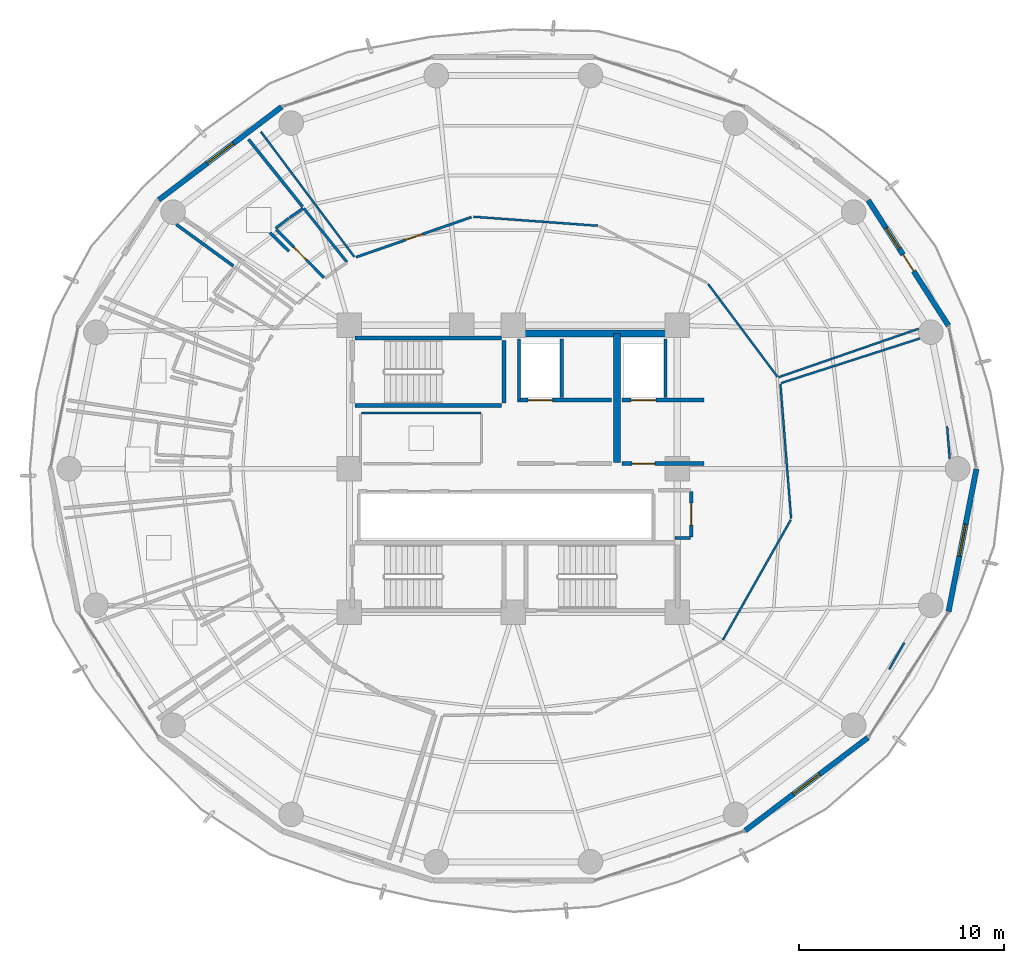
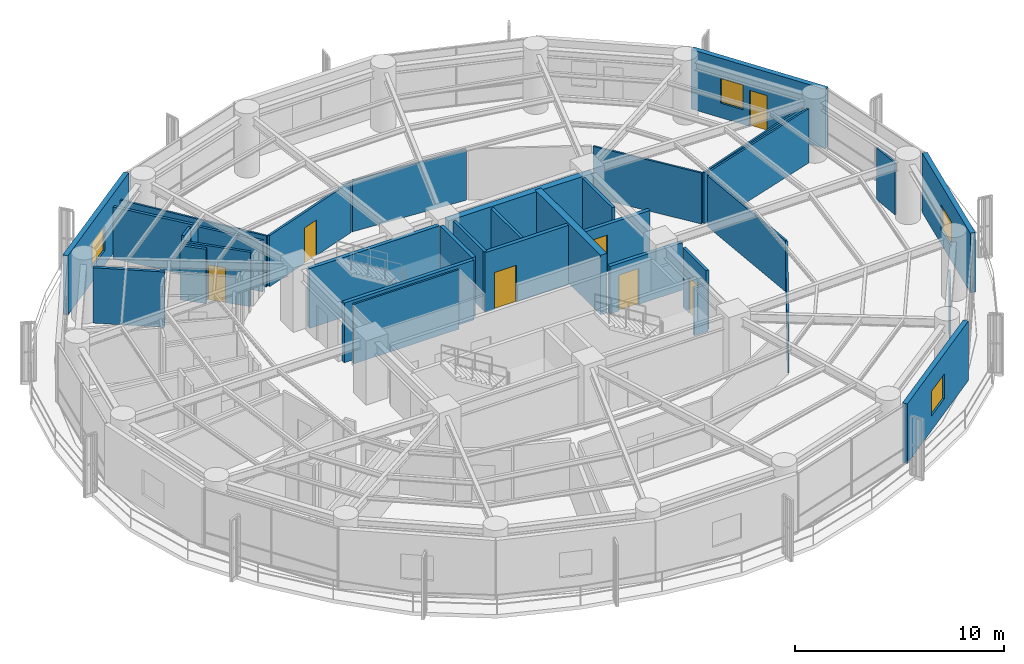
# One storey, part 23 of 27: 35 walls, 7 doors, 4 windows, 11 openings.
"""IFC4 building model written with IfcOpenShell, lengths in metres."""

from ifc_helpers import new_model, si_unit, direction, frame, frame_2d, origin, place, context, subcontext, project, spatial, rectangle, extrude, material, layer, layer_set, type_object, element, fill, save


model = new_model("IFC4")

# Units and contexts
model_context = context("Model", 3, precision=1e-05, world=origin(), true_north=direction((0.0, 1.0)))
body_context = subcontext(model_context, "Body", "Model", "MODEL_VIEW")
ifc_project = project(units=[si_unit("LENGTHUNIT", "METRE"), si_unit("AREAUNIT", "SQUARE_METRE"), si_unit("VOLUMEUNIT", "CUBIC_METRE"), si_unit("PLANEANGLEUNIT", "RADIAN"), si_unit("MASSUNIT", "GRAM", prefix="KILO")], contexts=[model_context])

# Site, building, storey
site_placement = place(None, origin())
site = spatial("IfcSite", under=ifc_project, at=site_placement, CompositionType="ELEMENT")
building_placement = place(site_placement, origin())
building = spatial("IfcBuilding", under=site, at=building_placement, Name="Kelanora Arch Commons", CompositionType="ELEMENT")
storey_placement = place(building_placement, frame((0.0, 0.0, 169.35009765625)))
storey = spatial("IfcBuildingStorey", under=building, at=storey_placement, Name="L43", CompositionType="ELEMENT", Elevation=169.35009765625)

# Walls
ifc_material_1 = material(Name="Autoclaved aerated concrete blockwork with fire plaster", Category="masonry")
ifc_layer_1 = layer(ifc_material_1, 0.14990234375)
ifc_layer_set_1 = layer_set([ifc_layer_1], Name="Autoclaved aerated concrete blockwork with fire plaster")
wall_type_1 = type_object("IfcWallType", Name="W-COMP-150", PredefinedType="PARTITIONING", material=ifc_layer_set_1)
wall_1_placement = place(storey_placement, frame((74.280029296875, 61.35009765625, 0.0), z_axis=(0.0, 0.0, 1.0), x_axis=(0.0, 1.0, 0.0)))
element("IfcWall", 1, at=wall_1_placement, inside=storey, type_object=wall_type_1, Name="Firefighting Lift 1 West Shaft Wall L43", PredefinedType="PARTITIONING", context=body_context, shape_type="SweptSolid", body=[
    extrude(rectangle(XDim=2.969970703125, YDim=0.14990234375, at=frame_2d((1.48486328125, 0.0))), origin(), (0.0, 0.0, 1.0), 3.47998046875),
])
for number, where, z_axis, x_axis, name in (
    (2, (76.360107421875, 61.47998046875, 0.0), (0.0, 0.0, 1.0), (0.0, 1.0, 0.0), "Firefighting Lift 1 East Shaft Wall L43"),
    (3, (81.419921875, 61.47998046875, 0.0), (0.0, 0.0, 1.0), (0.0, 1.0, 0.0), "Firefighting Lift 2 East Shaft Wall L43"),
):
    element("IfcWall", number, at=place(storey_placement, frame(where, z_axis=z_axis, x_axis=x_axis)), inside=storey, type_object=wall_type_1, Name=name, PredefinedType="PARTITIONING", context=body_context, shape_type="SweptSolid", body=[
        extrude(rectangle(XDim=2.840087890625, YDim=0.14990234375, at=frame_2d((1.419921875, 0.0))), origin(), (0.0, 0.0, 1.0), 3.47998046875),
    ])

# Wall, opening, door
wall_2_placement = place(storey_placement, frame((82.679931640625, 54.679931640625, 0.0), z_axis=(0.0, 0.0, 1.0), x_axis=(0.0, 1.0, 0.0)))
wall_2 = element("IfcWall", 4, at=wall_2_placement, inside=storey, type_object=wall_type_1, Name="Core Housekeeping Store L43 Entry Partition", PredefinedType="PARTITIONING", context=body_context, shape_type="SweptSolid", body=[
    extrude(rectangle(XDim=2.2099609375, YDim=0.14990234375, at=frame_2d((1.10498046875, 0.0))), origin(), (0.0, 0.0, 1.0), 3.47998046875),
])
opening_1_placement = place(wall_2_placement, frame((0.56494140625, 0.0, 0.0)))
opening_1 = element("IfcOpeningElement", 5, at=opening_1_placement, cuts=wall_2, Name="Opening D-PLT1", PredefinedType="OPENING", context=body_context, shape_type="SweptSolid", body=[
    extrude(rectangle(XDim=1.080078125, YDim=2.10009765625, at=frame_2d((0.5400390625, 1.050048828125))), frame((0.0, 0.0849609375, 0.0), z_axis=(0.0, -1.0, 0.0), x_axis=(1.0, 0.0, 0.0)), (0.0, 0.0, 1.0), 0.169921875),
])
ifc_material_2 = material(Name="Galvanised steel plant and riser fire door", Category="steel")
door_type_1 = type_object("IfcDoorType", Name="D-PLT-110", OperationType="NOTDEFINED", PredefinedType="DOOR", material=ifc_material_2)
door_1_placement = place(opening_1_placement, origin())
door_1 = element("IfcDoor", 6, at=door_1_placement, inside=storey, type_object=door_type_1, Name="Core Housekeeping Store L43 Door", OperationType="SINGLE_SWING_LEFT", OverallHeight=2.10009765625, OverallWidth=1.080078125, PredefinedType="DOOR", context=body_context, shape_type="SweptSolid", body=[
    extrude(rectangle(XDim=1.080078125, YDim=2.10009765625, at=frame_2d((0.5400390625, 1.050048828125))), frame((0.0, 0.02490234375, 0.0), z_axis=(0.0, -1.0, 0.0), x_axis=(1.0, 0.0, 0.0)), (0.0, 0.0, 1.0), 0.050048828125),
])
fill(opening_1, door_1)

# Walls
wall_3_placement = place(storey_placement, frame((81.89990234375, 54.6201171875, 0.0), z_axis=(0.0, 0.0, 1.0), x_axis=(1.0, 0.0, 0.0)))
element("IfcWall", 7, at=wall_3_placement, inside=storey, type_object=wall_type_1, Name="Core Housekeeping Store L43 Enclosure Partition 1", PredefinedType="PARTITIONING", context=body_context, shape_type="SweptSolid", body=[
    extrude(rectangle(XDim=0.739990234375, YDim=0.14990234375, at=frame_2d((0.3701171875, 0.0))), origin(), (0.0, 0.0, 1.0), 2.77490234375),
])
wall_4_placement = place(storey_placement, frame((61.077880859375, 74.07275390625, 0.0), z_axis=(0.0, 0.0, 1.0), x_axis=(0.62540850869, -0.780297505608, 0.0)))
element("IfcWall", 8, at=wall_4_placement, inside=storey, type_object=wall_type_1, Name="Cluster Bedroom L43-01 Enclosure Partition 5", PredefinedType="PARTITIONING", context=body_context, shape_type="SweptSolid", body=[
    extrude(rectangle(XDim=4.21337890625, YDim=0.14990234375, at=frame_2d((2.106689453125, 0.0))), origin(), (0.0, 0.0, 1.0), 3.02490234375),
])
wall_5_placement = place(storey_placement, frame((62.126708984375, 69.51513671875, 0.0), z_axis=(0.0, 0.0, 1.0), x_axis=(0.716511036514, -0.697575755422, 0.0)))
element("IfcWall", 9, at=wall_5_placement, inside=storey, type_object=wall_type_1, Name="Cluster Bedroom L43-01 Enclosure Partition 7", PredefinedType="PARTITIONING", context=body_context, shape_type="SweptSolid", body=[
    extrude(rectangle(XDim=1.289306640625, YDim=0.14990234375, at=frame_2d((0.64453125, 0.0))), origin(), (0.0, 0.0, 1.0), 3.1748046875),
])
wall_6_placement = place(storey_placement, frame((57.55419921875, 69.917724609375, 0.0), z_axis=(0.0, 0.0, 1.0), x_axis=(0.808868126213, -0.587990097192, 0.0)))
element("IfcWall", 10, at=wall_6_placement, inside=storey, type_object=wall_type_1, Name="Cluster Bedroom L43-02 Enclosure Partition 5", PredefinedType="PARTITIONING", context=body_context, shape_type="SweptSolid", body=[
    extrude(rectangle(XDim=3.4375, YDim=0.14990234375, at=frame_2d((1.71875, 0.0))), origin(), (0.0, 0.0, 1.0), 3.23486328125),
])
ifc_material_3 = material(Name="Concrete C50/60", Category="concrete")
ifc_layer_2 = layer(ifc_material_3, 0.35009765625)
ifc_layer_set_2 = layer_set([ifc_layer_2], Name="Concrete C50/60")
wall_type_2 = type_object("IfcWallType", Name="W-CORE-350", PredefinedType="SHEAR", material=ifc_layer_set_2)
wall_7_placement = place(storey_placement, frame((74.0, 64.60009765625, 0.0), z_axis=(0.0, 0.0, 1.0), x_axis=(1.0, 0.0, 0.0)))
element("IfcWall", 11, at=wall_7_placement, inside=storey, type_object=wall_type_2, Name="Core Shear Spine L43-CN-E", PredefinedType="SHEAR", context=body_context, shape_type="SweptSolid", body=[
    extrude(rectangle(XDim=8.0, YDim=0.35009765625, at=frame_2d((4.0, 0.0))), origin(), (0.0, 0.0, 1.0), 3.489990234375),
])
wall_8_placement = place(storey_placement, frame((79.050048828125, 58.300048828125, 0.0), z_axis=(0.0, 0.0, 1.0), x_axis=(0.0, 1.0, 0.0)))
element("IfcWall", 12, at=wall_8_placement, inside=storey, type_object=wall_type_2, Name="Core Shear Spine L43-CE-N", PredefinedType="SHEAR", context=body_context, shape_type="SweptSolid", body=[
    extrude(rectangle(XDim=6.300048828125, YDim=0.35009765625, at=frame_2d((3.14990234375, 0.0))), origin(), (0.0, 0.0, 1.0), 3.489990234375),
])

# Wall, openings, door, window
ifc_material_4 = material(Name="Precast concrete C40/50 with terracotta rainscreen", Category="masonry")
ifc_layer_3 = layer(ifc_material_4, 0.260009765625)
ifc_layer_set_3 = layer_set([ifc_layer_3], Name="Precast concrete C40/50 with terracotta rainscreen")
wall_type_3 = type_object("IfcWallType", Name="W-EXT-TC", PredefinedType="SOLIDWALL", material=ifc_layer_set_3)
wall_9_placement = place(storey_placement, frame((95.22900390625, 64.98974609375, 0.0), z_axis=(0.0, 0.0, 1.0), x_axis=(-0.538801521808, 0.842432739213, 0.0)))
wall_9 = element("IfcWall", 13, at=wall_9_placement, inside=storey, type_object=wall_type_3, Name="Terracotta Exterior Wall L43-B01", PredefinedType="SOLIDWALL", context=body_context, shape_type="SweptSolid", body=[
    extrude(rectangle(XDim=7.25341796875, YDim=0.260009765625, at=frame_2d((3.626708984375, 0.0))), origin(), (0.0, 0.0, 1.0), 3.474853515625),
])
opening_2_placement = place(wall_9_placement, frame((3.152099609375, 0.0, 0.0)))
opening_2 = element("IfcOpeningElement", 14, at=opening_2_placement, cuts=wall_9, Name="Opening DB-01", PredefinedType="OPENING", context=body_context, shape_type="SweptSolid", body=[
    extrude(rectangle(XDim=0.949951171875, YDim=2.10009765625, at=frame_2d((0.47509765625, 1.050048828125))), frame((0.0, 0.14013671875, 0.0), z_axis=(0.0, -1.0, 0.0), x_axis=(1.0, 0.0, 0.0)), (0.0, 0.0, 1.0), 0.280029296875),
])
opening_3_placement = place(wall_9_placement, frame((4.451904296875, 0.0, 0.85009765625)))
opening_3 = element("IfcOpeningElement", 15, at=opening_3_placement, cuts=wall_9, Name="Opening WN-02", PredefinedType="OPENING", context=body_context, shape_type="SweptSolid", body=[
    extrude(rectangle(XDim=1.199951171875, YDim=1.449951171875, at=frame_2d((0.60009765625, 0.72509765625))), frame((0.0, 0.14013671875, 0.0), z_axis=(0.0, -1.0, 0.0), x_axis=(1.0, 0.0, 0.0)), (0.0, 0.0, 1.0), 0.280029296875),
])
ifc_material_5 = material(Name="Terracotta-aluminium thermally broken glazed balcony door", Category="masonry")
door_type_2 = type_object("IfcDoorType", Name="D-BAL-10", OperationType="NOTDEFINED", PredefinedType="DOOR", material=ifc_material_5)
door_2_placement = place(opening_2_placement, frame((0.949951171875, 0.0, 0.0), z_axis=(0.0, 0.0, 1.0), x_axis=(-1.0, 0.0, 0.0)))
door_2 = element("IfcDoor", 16, at=door_2_placement, inside=storey, type_object=door_type_2, Name="Wave Balcony Door L43-B01", OperationType="SINGLE_SWING_LEFT", OverallHeight=2.10009765625, OverallWidth=0.949951171875, PredefinedType="DOOR", context=body_context, shape_type="SweptSolid", body=[
    extrude(rectangle(XDim=0.949951171875, YDim=2.10009765625, at=frame_2d((0.47509765625, 1.050048828125))), frame((0.0, 0.02490234375, 0.0), z_axis=(0.0, -1.0, 0.0), x_axis=(1.0, 0.0, 0.0)), (0.0, 0.0, 1.0), 0.050048828125),
])
fill(opening_2, door_2)
ifc_material_6 = material(Name="Terracotta-anodised aluminium frame with operable awning sash", Category="masonry")
window_type_1 = type_object("IfcWindowType", Name="WIN-CL-12", PartitioningType="SINGLE_PANEL", PredefinedType="WINDOW", material=ifc_material_6)
window_1_placement = place(opening_3_placement, origin())
window_1 = element("IfcWindow", 17, at=window_1_placement, inside=storey, type_object=window_type_1, Name="Co-Living Operable Window L43-B01", OverallHeight=1.449951171875, OverallWidth=1.199951171875, PartitioningType="SINGLE_PANEL", PredefinedType="WINDOW", context=body_context, shape_type="SweptSolid", body=[
    extrude(rectangle(XDim=1.199951171875, YDim=1.449951171875, at=frame_2d((0.60009765625, 0.72509765625))), frame((0.0, 0.030029296875, 0.0), z_axis=(0.0, -1.0, 0.0), x_axis=(1.0, 0.0, 0.0)), (0.0, 0.0, 1.0), 0.06005859375),
])
fill(opening_3, window_1)

# Wall, opening, window
wall_10_placement = place(storey_placement, frame((62.68798828125, 75.65771484375, 0.0), z_axis=(0.0, 0.0, 1.0), x_axis=(-0.797163719609, -0.603763202042, 0.0)))
wall_10 = element("IfcWall", 18, at=wall_10_placement, inside=storey, type_object=wall_type_3, Name="Terracotta Exterior Wall L43-B06", PredefinedType="SOLIDWALL", context=body_context, shape_type="SweptSolid", body=[
    extrude(rectangle(XDim=7.51220703125, YDim=0.260009765625, at=frame_2d((3.756103515625, 0.0))), origin(), (0.0, 0.0, 1.0), 3.474853515625),
])
opening_4_placement = place(wall_10_placement, frame((2.9560546875, 0.0, 0.85009765625)))
opening_4 = element("IfcOpeningElement", 19, at=opening_4_placement, cuts=wall_10, Name="Opening WN-01", PredefinedType="OPENING", context=body_context, shape_type="SweptSolid", body=[
    extrude(rectangle(XDim=1.60009765625, YDim=1.449951171875, at=frame_2d((0.800048828125, 0.72509765625))), frame((0.0, 0.14013671875, 0.0), z_axis=(0.0, -1.0, 0.0), x_axis=(1.0, 0.0, 0.0)), (0.0, 0.0, 1.0), 0.280029296875),
])
ifc_material_7 = material(Name="Terracotta-anodised aluminium frame with operable low-E glazing", Category="masonry")
window_type_2 = type_object("IfcWindowType", Name="WIN-CL-18", PartitioningType="DOUBLE_PANEL_VERTICAL", PredefinedType="WINDOW", material=ifc_material_7)
window_2_placement = place(opening_4_placement, origin())
window_2 = element("IfcWindow", 20, at=window_2_placement, inside=storey, type_object=window_type_2, Name="Co-Living Operable Window L43-B06", OverallHeight=1.449951171875, OverallWidth=1.60009765625, PartitioningType="SINGLE_PANEL", PredefinedType="WINDOW", context=body_context, shape_type="SweptSolid", body=[
    extrude(rectangle(XDim=1.60009765625, YDim=1.449951171875, at=frame_2d((0.800048828125, 0.72509765625))), frame((0.0, 0.030029296875, 0.0), z_axis=(0.0, -1.0, 0.0), x_axis=(1.0, 0.0, 0.0)), (0.0, 0.0, 1.0), 0.06005859375),
])
fill(opening_4, window_2)

wall_11_placement = place(storey_placement, frame((85.31201171875, 40.34228515625, 0.0), z_axis=(0.0, 0.0, 1.0), x_axis=(0.797163719609, 0.603763202042, 0.0)))
wall_11 = element("IfcWall", 21, at=wall_11_placement, inside=storey, type_object=wall_type_3, Name="Terracotta Exterior Wall L43-B15", PredefinedType="SOLIDWALL", context=body_context, shape_type="SweptSolid", body=[
    extrude(rectangle(XDim=7.51220703125, YDim=0.260009765625, at=frame_2d((3.756103515625, 0.0))), origin(), (0.0, 0.0, 1.0), 3.474853515625),
])
opening_5_placement = place(wall_11_placement, frame((2.9560546875, 0.0, 0.85009765625)))
opening_5 = element("IfcOpeningElement", 22, at=opening_5_placement, cuts=wall_11, Name="Opening WN-01", PredefinedType="OPENING", context=body_context, shape_type="SweptSolid", body=[
    extrude(rectangle(XDim=1.60009765625, YDim=1.449951171875, at=frame_2d((0.800048828125, 0.72509765625))), frame((0.0, 0.14013671875, 0.0), z_axis=(0.0, -1.0, 0.0), x_axis=(1.0, 0.0, 0.0)), (0.0, 0.0, 1.0), 0.280029296875),
])
window_3_placement = place(opening_5_placement, origin())
window_3 = element("IfcWindow", 23, at=window_3_placement, inside=storey, type_object=window_type_2, Name="Co-Living Operable Window L43-B15", OverallHeight=1.449951171875, OverallWidth=1.60009765625, PartitioningType="SINGLE_PANEL", PredefinedType="WINDOW", context=body_context, shape_type="SweptSolid", body=[
    extrude(rectangle(XDim=1.60009765625, YDim=1.449951171875, at=frame_2d((0.800048828125, 0.72509765625))), frame((0.0, 0.030029296875, 0.0), z_axis=(0.0, -1.0, 0.0), x_axis=(1.0, 0.0, 0.0)), (0.0, 0.0, 1.0), 0.06005859375),
])
fill(opening_5, window_3)

wall_12_placement = place(storey_placement, frame((95.239990234375, 51.03759765625, 0.0), z_axis=(0.0, 0.0, 1.0), x_axis=(0.191716984769, 0.981450252306, 0.0)))
wall_12 = element("IfcWall", 24, at=wall_12_placement, inside=storey, type_object=wall_type_3, Name="Terracotta Exterior Wall L43-B17", PredefinedType="SOLIDWALL", context=body_context, shape_type="SweptSolid", body=[
    extrude(rectangle(XDim=7.0791015625, YDim=0.260009765625, at=frame_2d((3.53955078125, 0.0))), origin(), (0.0, 0.0, 1.0), 3.474853515625),
])
opening_6_placement = place(wall_12_placement, frame((2.739990234375, 0.0, 0.85009765625)))
opening_6 = element("IfcOpeningElement", 25, at=opening_6_placement, cuts=wall_12, Name="Opening WN-01", PredefinedType="OPENING", context=body_context, shape_type="SweptSolid", body=[
    extrude(rectangle(XDim=1.60009765625, YDim=1.449951171875, at=frame_2d((0.800048828125, 0.72509765625))), frame((0.0, 0.14013671875, 0.0), z_axis=(0.0, -1.0, 0.0), x_axis=(1.0, 0.0, 0.0)), (0.0, 0.0, 1.0), 0.280029296875),
])
window_4_placement = place(opening_6_placement, origin())
window_4 = element("IfcWindow", 26, at=window_4_placement, inside=storey, type_object=window_type_2, Name="Co-Living Operable Window L43-B17", OverallHeight=1.449951171875, OverallWidth=1.60009765625, PartitioningType="SINGLE_PANEL", PredefinedType="WINDOW", context=body_context, shape_type="SweptSolid", body=[
    extrude(rectangle(XDim=1.60009765625, YDim=1.449951171875, at=frame_2d((0.800048828125, 0.72509765625))), frame((0.0, 0.030029296875, 0.0), z_axis=(0.0, -1.0, 0.0), x_axis=(1.0, 0.0, 0.0)), (0.0, 0.0, 1.0), 0.06005859375),
])
fill(opening_6, window_4)

# Wall, opening, door
ifc_material_8 = material(Name="Concrete C40/50", Category="concrete")
ifc_layer_4 = layer(ifc_material_8, 0.199951171875)
ifc_layer_set_4 = layer_set([ifc_layer_4], Name="Concrete C40/50")
wall_type_4 = type_object("IfcWallType", Name="W-FFL-200", PredefinedType="SOLIDWALL", material=ifc_layer_set_4)
wall_13_placement = place(storey_placement, frame((74.199951171875, 61.35009765625, 0.0), z_axis=(0.0, 0.0, 1.0), x_axis=(1.0, 0.0, 0.0)))
wall_13 = element("IfcWall", 27, at=wall_13_placement, inside=storey, type_object=wall_type_4, Name="Firefighting Lift 1 Shaft Front L43", PredefinedType="SOLIDWALL", context=body_context, shape_type="SweptSolid", body=[
    extrude(rectangle(XDim=4.60009765625, YDim=0.199951171875, at=frame_2d((2.300048828125, 0.0))), origin(), (0.0, 0.0, 1.0), 3.47998046875),
])
opening_7_placement = place(wall_13_placement, frame((0.52001953125, 0.0, 0.0)))
opening_7 = element("IfcOpeningElement", 28, at=opening_7_placement, cuts=wall_13, Name="Opening LD-FF", PredefinedType="OPENING", context=body_context, shape_type="SweptSolid", body=[
    extrude(rectangle(XDim=1.199951171875, YDim=2.14990234375, at=frame_2d((0.60009765625, 1.074951171875))), frame((0.0, 0.10986328125, 0.0), z_axis=(0.0, -1.0, 0.0), x_axis=(1.0, 0.0, 0.0)), (0.0, 0.0, 1.0), 0.219970703125),
])
ifc_material_9 = material(Name="Fire-rated firefighters lift sliding landing door")
door_type_3 = type_object("IfcDoorType", Name="D-LIFT-FF", OperationType="NOTDEFINED", PredefinedType="DOOR", material=ifc_material_9)
door_3_placement = place(opening_7_placement, origin())
door_3 = element("IfcDoor", 29, at=door_3_placement, inside=storey, type_object=door_type_3, Name="Firefighting Lift LF-FF1 Landing Door L43", OperationType="DOUBLE_DOOR_SLIDING", OverallHeight=2.14990234375, OverallWidth=1.199951171875, PredefinedType="DOOR", context=body_context, shape_type="SweptSolid", body=[
    extrude(rectangle(XDim=1.199951171875, YDim=2.14990234375, at=frame_2d((0.60009765625, 1.074951171875))), frame((0.0, 0.02490234375, 0.0), z_axis=(0.0, -1.0, 0.0), x_axis=(1.0, 0.0, 0.0)), (0.0, 0.0, 1.0), 0.050048828125),
])
fill(opening_7, door_3)

wall_14_placement = place(storey_placement, frame((79.300048828125, 61.35009765625, 0.0), z_axis=(0.0, 0.0, 1.0), x_axis=(1.0, 0.0, 0.0)))
wall_14 = element("IfcWall", 30, at=wall_14_placement, inside=storey, type_object=wall_type_4, Name="Firefighting Lift 2 Shaft Front L43", PredefinedType="SOLIDWALL", context=body_context, shape_type="SweptSolid", body=[
    extrude(rectangle(XDim=4.0, YDim=0.199951171875, at=frame_2d((2.0, 0.0))), origin(), (0.0, 0.0, 1.0), 2.77490234375),
])
opening_8_placement = place(wall_14_placement, frame((0.449951171875, 0.0, 0.0)))
opening_8 = element("IfcOpeningElement", 31, at=opening_8_placement, cuts=wall_14, Name="Opening LD-FF", PredefinedType="OPENING", context=body_context, shape_type="SweptSolid", body=[
    extrude(rectangle(XDim=1.199951171875, YDim=2.14990234375, at=frame_2d((0.60009765625, 1.074951171875))), frame((0.0, 0.10986328125, 0.0), z_axis=(0.0, -1.0, 0.0), x_axis=(1.0, 0.0, 0.0)), (0.0, 0.0, 1.0), 0.219970703125),
])
door_4_placement = place(opening_8_placement, origin())
door_4 = element("IfcDoor", 32, at=door_4_placement, inside=storey, type_object=door_type_3, Name="Firefighting Lift LF-FF2 Landing Door L43", OperationType="DOUBLE_DOOR_SLIDING", OverallHeight=2.14990234375, OverallWidth=1.199951171875, PredefinedType="DOOR", context=body_context, shape_type="SweptSolid", body=[
    extrude(rectangle(XDim=1.199951171875, YDim=2.14990234375, at=frame_2d((0.60009765625, 1.074951171875))), frame((0.0, 0.02490234375, 0.0), z_axis=(0.0, -1.0, 0.0), x_axis=(1.0, 0.0, 0.0)), (0.0, 0.0, 1.0), 0.050048828125),
])
fill(opening_8, door_4)

wall_15_placement = place(storey_placement, frame((79.300048828125, 58.25, 0.0), z_axis=(0.0, 0.0, 1.0), x_axis=(1.0, 0.0, 0.0)))
wall_15 = element("IfcWall", 33, at=wall_15_placement, inside=storey, type_object=wall_type_4, Name="Firefighting Lobby 2 Enclosure Wall L43", PredefinedType="SOLIDWALL", context=body_context, shape_type="SweptSolid", body=[
    extrude(rectangle(XDim=4.0, YDim=0.199951171875, at=frame_2d((2.0, 0.0))), origin(), (0.0, 0.0, 1.0), 2.77490234375),
])
opening_9_placement = place(wall_15_placement, frame((0.5, 0.0, 0.0)))
opening_9 = element("IfcOpeningElement", 34, at=opening_9_placement, cuts=wall_15, Name="Opening D-FFL1", PredefinedType="OPENING", context=body_context, shape_type="SweptSolid", body=[
    extrude(rectangle(XDim=1.10009765625, YDim=2.10009765625, at=frame_2d((0.550048828125, 1.050048828125))), frame((0.0, 0.10986328125, 0.0), z_axis=(0.0, -1.0, 0.0), x_axis=(1.0, 0.0, 0.0)), (0.0, 0.0, 1.0), 0.219970703125),
])
ifc_material_10 = material(Name="Smoke-sealed firefighting lobby fire door")
door_type_4 = type_object("IfcDoorType", Name="D-FFL-110", OperationType="NOTDEFINED", PredefinedType="DOOR", material=ifc_material_10)
door_5_placement = place(opening_9_placement, frame((1.10009765625, 0.0, 0.0), z_axis=(0.0, 0.0, 1.0), x_axis=(-1.0, 0.0, 0.0)))
door_5 = element("IfcDoor", 35, at=door_5_placement, inside=storey, type_object=door_type_4, Name="Firefighting Lobby 2 Door L43", OperationType="SINGLE_SWING_RIGHT", OverallHeight=2.10009765625, OverallWidth=1.10009765625, PredefinedType="DOOR", context=body_context, shape_type="SweptSolid", body=[
    extrude(rectangle(XDim=1.10009765625, YDim=2.10009765625, at=frame_2d((0.550048828125, 1.050048828125))), frame((0.0, 0.02490234375, 0.0), z_axis=(0.0, -1.0, 0.0), x_axis=(1.0, 0.0, 0.0)), (0.0, 0.0, 1.0), 0.050048828125),
])
fill(opening_9, door_5)

# Walls
ifc_material_11 = material(Name="Lightweight fire-rated acoustic stud partition")
ifc_layer_5 = layer(ifc_material_11, 0.10009765625)
ifc_layer_set_5 = layer_set([ifc_layer_5], Name="Lightweight fire-rated acoustic stud partition")
wall_type_5 = type_object("IfcWallType", Name="W-PART-100", PredefinedType="PARTITIONING", material=ifc_layer_set_5)
wall_16_placement = place(storey_placement, frame((72.409912109375, 60.719970703125, 0.0), z_axis=(0.0, 0.0, 1.0), x_axis=(-1.0, 0.0, 0.0)))
element("IfcWall", 36, at=wall_16_placement, inside=storey, type_object=wall_type_5, Name="Reclaimed Core Study Pod Lounge L43 Enclosure Partition 3", PredefinedType="PARTITIONING", context=body_context, shape_type="SweptSolid", body=[
    extrude(rectangle(XDim=5.81982421875, YDim=0.10009765625, at=frame_2d((2.909912109375, 0.0))), origin(), (0.0, 0.0, 1.0), 3.47998046875),
])
wall_17_placement = place(storey_placement, frame((84.224609375, 49.644775390625, 0.0), z_axis=(0.0, 0.0, 1.0), x_axis=(0.492113440037, 0.870531080511, 0.0)))
element("IfcWall", 37, at=wall_17_placement, inside=storey, type_object=wall_type_5, Name="South-East Shared Study Commons L43 Enclosure Partition 3", PredefinedType="PARTITIONING", context=body_context, shape_type="SweptSolid", body=[
    extrude(rectangle(XDim=6.729736328125, YDim=0.10009765625, at=frame_2d((3.36474609375, 0.0))), origin(), (0.0, 0.0, 1.0), 2.974853515625),
])
wall_18_placement = place(storey_placement, frame((87.552734375, 55.577880859375, 0.0), z_axis=(0.0, 0.0, 1.0), x_axis=(-0.079190122959, 0.99685953094, 0.0)))
element("IfcWall", 38, at=wall_18_placement, inside=storey, type_object=wall_type_5, Name="South-East Shared Study Commons L43 Enclosure Partition 4", PredefinedType="PARTITIONING", context=body_context, shape_type="SweptSolid", body=[
    extrude(rectangle(XDim=6.572998046875, YDim=0.10009765625, at=frame_2d((3.28662109375, 0.0))), origin(), (0.0, 0.0, 1.0), 2.974853515625),
])
wall_19_placement = place(storey_placement, frame((87.067138671875, 62.18212890625, 0.0), z_axis=(0.0, 0.0, 1.0), x_axis=(0.951988492126, 0.306133812017, 0.0)))
element("IfcWall", 39, at=wall_19_placement, inside=storey, type_object=wall_type_5, Name="South-East Shared Study Commons L43 Enclosure Partition 5", PredefinedType="PARTITIONING", context=body_context, shape_type="SweptSolid", body=[
    extrude(rectangle(XDim=7.101806640625, YDim=0.10009765625, at=frame_2d((3.55078125, 0.0))), origin(), (0.0, 0.0, 1.0), 3.1748046875),
])
wall_20_placement = place(storey_placement, frame((95.166015625, 60.06689453125, 0.0), z_axis=(0.0, 0.0, 1.0), x_axis=(0.078984898801, -0.996875812607, 0.0)))
element("IfcWall", 40, at=wall_20_placement, inside=storey, type_object=wall_type_5, Name="South-East Shared Study Commons L43 Enclosure Partition 6", PredefinedType="PARTITIONING", context=body_context, shape_type="SweptSolid", body=[
    extrude(rectangle(XDim=1.58251953125, YDim=0.10009765625, at=frame_2d((0.791259765625, 0.0))), origin(), (0.0, 0.0, 1.0), 3.02490234375),
])
wall_21_placement = place(storey_placement, frame((93.076904296875, 49.5166015625, 0.0), z_axis=(0.0, 0.0, 1.0), x_axis=(-0.491558544253, -0.870844531229, 0.0)))
element("IfcWall", 41, at=wall_21_placement, inside=storey, type_object=wall_type_5, Name="South-East Shared Study Commons L43 Enclosure Partition 7", PredefinedType="PARTITIONING", context=body_context, shape_type="SweptSolid", body=[
    extrude(rectangle(XDim=1.50048828125, YDim=0.10009765625, at=frame_2d((0.750244140625, 0.0))), origin(), (0.0, 0.0, 1.0), 3.02490234375),
])
wall_22_placement = place(storey_placement, frame((86.88720703125, 62.487060546875, 0.0), z_axis=(0.0, 0.0, 1.0), x_axis=(-0.598418459338, 0.801183716462, 0.0)))
element("IfcWall", 42, at=wall_22_placement, inside=storey, type_object=wall_type_5, Name="North-East Shared Cluster Kitchen L43 Enclosure Partition 1", PredefinedType="PARTITIONING", context=body_context, shape_type="SweptSolid", body=[
    extrude(rectangle(XDim=5.66015625, YDim=0.10009765625, at=frame_2d((2.830078125, 0.0))), origin(), (0.0, 0.0, 1.0), 2.974853515625),
])
wall_23_placement = place(storey_placement, frame((78.119140625, 69.85791015625, 0.0), z_axis=(0.0, 0.0, 1.0), x_axis=(-0.997375895235, 0.072396986155, 0.0)))
element("IfcWall", 43, at=wall_23_placement, inside=storey, type_object=wall_type_5, Name="North-East Shared Cluster Kitchen L43 Enclosure Partition 3", PredefinedType="PARTITIONING", context=body_context, shape_type="SweptSolid", body=[
    extrude(rectangle(XDim=6.080078125, YDim=0.10009765625, at=frame_2d((3.0400390625, 0.0))), origin(), (0.0, 0.0, 1.0), 2.974853515625),
])
wall_24_placement = place(storey_placement, frame((66.2421875, 68.3369140625, 0.0), z_axis=(0.0, 0.0, 1.0), x_axis=(-0.598416617992, 0.801185091793, 0.0)))
element("IfcWall", 44, at=wall_24_placement, inside=storey, type_object=wall_type_5, Name="North-East Shared Cluster Kitchen L43 Enclosure Partition 5", PredefinedType="PARTITIONING", context=body_context, shape_type="SweptSolid", body=[
    extrude(rectangle(XDim=7.628662109375, YDim=0.10009765625, at=frame_2d((3.814453125, 0.0))), origin(), (0.0, 0.0, 1.0), 2.974853515625),
])
wall_25_placement = place(storey_placement, frame((93.77099609375, 64.832275390625, 0.0), z_axis=(0.0, 0.0, 1.0), x_axis=(-0.944870237137, -0.327445010608, 0.0)))
element("IfcWall", 45, at=wall_25_placement, inside=storey, type_object=wall_type_5, Name="North-East Shared Cluster Kitchen L43 Enclosure Partition 10", PredefinedType="PARTITIONING", context=body_context, shape_type="SweptSolid", body=[
    extrude(rectangle(XDim=7.22021484375, YDim=0.10009765625, at=frame_2d((3.610107421875, 0.0))), origin(), (0.0, 0.0, 1.0), 2.974853515625),
])

# Wall, opening, door
ifc_material_12 = material(Name="Acoustic twin-stud fire-rated gypsum partition")
ifc_layer_6 = layer(ifc_material_12, 0.1201171875)
ifc_layer_set_6 = layer_set([ifc_layer_6], Name="Acoustic twin-stud fire-rated gypsum partition")
wall_type_6 = type_object("IfcWallType", Name="W-PART-120", PredefinedType="PARTITIONING", material=ifc_layer_set_6)
wall_26_placement = place(storey_placement, frame((71.958251953125, 70.28125, 0.0), z_axis=(0.0, 0.0, 1.0), x_axis=(-0.944685464341, -0.327977702692, 0.0)))
wall_26 = element("IfcWall", 46, at=wall_26_placement, inside=storey, type_object=wall_type_6, Name="North-East Shared Cluster Kitchen L43 Entry Partition", PredefinedType="PARTITIONING", context=body_context, shape_type="SweptSolid", body=[
    extrude(rectangle(XDim=5.965576171875, YDim=0.1201171875, at=frame_2d((2.98291015625, 0.0))), origin(), (0.0, 0.0, 1.0), 2.974853515625),
])
opening_10_placement = place(wall_26_placement, frame((2.532958984375, 0.0, 0.0)))
opening_10 = element("IfcOpeningElement", 47, at=opening_10_placement, cuts=wall_26, Name="Opening D-RM1", PredefinedType="OPENING", context=body_context, shape_type="SweptSolid", body=[
    extrude(rectangle(XDim=0.89990234375, YDim=2.080078125, at=frame_2d((0.449951171875, 1.0400390625))), frame((0.0, 0.070068359375, 0.0), z_axis=(0.0, -1.0, 0.0), x_axis=(1.0, 0.0, 0.0)), (0.0, 0.0, 1.0), 0.14013671875),
])
ifc_material_13 = material(Name="Acoustic fire-rated timber study and lounge door", Category="wood")
door_type_5 = type_object("IfcDoorType", Name="D-ROOM-90", OperationType="NOTDEFINED", PredefinedType="DOOR", material=ifc_material_13)
door_6_placement = place(opening_10_placement, origin())
door_6 = element("IfcDoor", 48, at=door_6_placement, inside=storey, type_object=door_type_5, Name="North-East Shared Cluster Kitchen L43 Door", OperationType="SINGLE_SWING_LEFT", OverallHeight=2.080078125, OverallWidth=0.89990234375, PredefinedType="DOOR", context=body_context, shape_type="SweptSolid", body=[
    extrude(rectangle(XDim=0.89990234375, YDim=2.080078125, at=frame_2d((0.449951171875, 1.0400390625))), frame((0.0, 0.02490234375, 0.0), z_axis=(0.0, -1.0, 0.0), x_axis=(1.0, 0.0, 0.0)), (0.0, 0.0, 1.0), 0.050048828125),
])
fill(opening_10, door_6)

# Walls
ifc_layer_7 = layer(ifc_material_8, 0.199951171875)
ifc_layer_set_7 = layer_set([ifc_layer_7], Name="Concrete C40/50")
wall_type_7 = type_object("IfcWallType", Name="W-STAIR-200", PredefinedType="SHEAR", material=ifc_layer_set_7)
wall_27_placement = place(storey_placement, frame((66.260009765625, 61.080078125, 0.0), z_axis=(0.0, 0.0, 1.0), x_axis=(1.0, 0.0, 0.0)))
element("IfcWall", 49, at=wall_27_placement, inside=storey, type_object=wall_type_7, Name="Stair ST-T1 Shaft Wall S L43", PredefinedType="SHEAR", context=body_context, shape_type="SweptSolid", body=[
    extrude(rectangle(XDim=7.159912109375, YDim=0.199951171875, at=frame_2d((3.580078125, 0.0))), origin(), (0.0, 0.0, 1.0), 3.489990234375),
])
wall_28_placement = place(storey_placement, frame((73.5400390625, 61.199951171875, 0.0), z_axis=(0.0, 0.0, 1.0), x_axis=(0.0, 1.0, 0.0)))
element("IfcWall", 50, at=wall_28_placement, inside=storey, type_object=wall_type_7, Name="Stair ST-T1 Shaft Wall E L43", PredefinedType="SHEAR", context=body_context, shape_type="SweptSolid", body=[
    extrude(rectangle(XDim=3.070068359375, YDim=0.199951171875, at=frame_2d((1.53515625, 0.0))), origin(), (0.0, 0.0, 1.0), 3.489990234375),
])
wall_29_placement = place(storey_placement, frame((73.419921875, 64.389892578125, 0.0), z_axis=(0.0, 0.0, 1.0), x_axis=(-1.0, 0.0, 0.0)))
element("IfcWall", 51, at=wall_29_placement, inside=storey, type_object=wall_type_7, Name="Stair ST-T1 Shaft Wall N L43", PredefinedType="SHEAR", context=body_context, shape_type="SweptSolid", body=[
    extrude(rectangle(XDim=7.159912109375, YDim=0.199951171875, at=frame_2d((3.580078125, 0.0))), origin(), (0.0, 0.0, 1.0), 3.489990234375),
])

# Wall, opening, door
ifc_material_14 = material(Name="Moisture-resistant fire-rated cement-board plumbing wall")
ifc_layer_8 = layer(ifc_material_14, 0.1298828125)
ifc_layer_set_8 = layer_set([ifc_layer_8], Name="Moisture-resistant fire-rated cement-board plumbing wall")
wall_type_8 = type_object("IfcWallType", Name="W-WET-120", PredefinedType="PLUMBINGWALL", material=ifc_layer_set_8)
wall_30_placement = place(storey_placement, frame((64.7578125, 67.32373046875, 0.0), z_axis=(0.0, 0.0, 1.0), x_axis=(-0.70286222458, 0.711326010531, 0.0)))
wall_30 = element("IfcWall", 52, at=wall_30_placement, inside=storey, type_object=wall_type_8, Name="En-Suite Shower WC L43-01 Entry Partition", PredefinedType="PLUMBINGWALL", context=body_context, shape_type="SweptSolid", body=[
    extrude(rectangle(XDim=3.317138671875, YDim=0.1298828125, at=frame_2d((1.65869140625, 0.0))), origin(), (0.0, 0.0, 1.0), 3.1748046875),
])
opening_11_placement = place(wall_30_placement, frame((1.22900390625, 0.0, 0.0)))
opening_11 = element("IfcOpeningElement", 53, at=opening_11_placement, cuts=wall_30, Name="Opening D-BT1", PredefinedType="OPENING", context=body_context, shape_type="SweptSolid", body=[
    extrude(rectangle(XDim=0.860107421875, YDim=2.050048828125, at=frame_2d((0.43017578125, 1.02490234375))), frame((0.0, 0.074951171875, 0.0), z_axis=(0.0, -1.0, 0.0), x_axis=(1.0, 0.0, 0.0)), (0.0, 0.0, 1.0), 0.14990234375),
])
ifc_material_15 = material(Name="Moisture-sealed fire-rated accessible bathroom door")
door_type_6 = type_object("IfcDoorType", Name="D-BATH-85", OperationType="NOTDEFINED", PredefinedType="DOOR", material=ifc_material_15)
door_7_placement = place(opening_11_placement, origin())
door_7 = element("IfcDoor", 54, at=door_7_placement, inside=storey, type_object=door_type_6, Name="En-Suite Shower WC L43-01 Door", OperationType="SINGLE_SWING_RIGHT", OverallHeight=2.050048828125, OverallWidth=0.860107421875, PredefinedType="DOOR", context=body_context, shape_type="SweptSolid", body=[
    extrude(rectangle(XDim=0.860107421875, YDim=2.050048828125, at=frame_2d((0.43017578125, 1.02490234375))), frame((0.0, 0.02490234375, 0.0), z_axis=(0.0, -1.0, 0.0), x_axis=(1.0, 0.0, 0.0)), (0.0, 0.0, 1.0), 0.050048828125),
])
fill(opening_11, door_7)

# Walls
wall_31_placement = place(storey_placement, frame((62.39990234375, 69.738037109375, 0.0), z_axis=(0.0, 0.0, 1.0), x_axis=(0.79624953052, 0.604968334004, 0.0)))
element("IfcWall", 55, at=wall_31_placement, inside=storey, type_object=wall_type_8, Name="En-Suite Shower WC L43-01 Enclosure Partition 4", PredefinedType="PLUMBINGWALL", context=body_context, shape_type="SweptSolid", body=[
    extrude(rectangle(XDim=0.807861328125, YDim=0.1298828125, at=frame_2d((0.40380859375, 0.0))), origin(), (0.0, 0.0, 1.0), 3.47998046875),
])
wall_32_placement = place(storey_placement, frame((63.075439453125, 70.250244140625, 0.0), z_axis=(0.0, 0.0, 1.0), x_axis=(0.823726015145, 0.56698805276, 0.0)))
element("IfcWall", 56, at=wall_32_placement, inside=storey, type_object=wall_type_8, Name="En-Suite Shower WC L43-01 Enclosure Partition 5", PredefinedType="PLUMBINGWALL", context=body_context, shape_type="SweptSolid", body=[
    extrude(rectangle(XDim=0.81201171875, YDim=0.1298828125, at=frame_2d((0.406005859375, 0.0))), origin(), (0.0, 0.0, 1.0), 3.1748046875),
])
wall_33_placement = place(storey_placement, frame((63.7734375, 70.706298828125, 0.0), z_axis=(0.0, 0.0, 1.0), x_axis=(0.625916574892, -0.779890018704, 0.0)))
element("IfcWall", 57, at=wall_33_placement, inside=storey, type_object=wall_type_8, Name="En-Suite Shower WC L43-01 Enclosure Partition 6", PredefinedType="PLUMBINGWALL", context=body_context, shape_type="SweptSolid", body=[
    extrude(rectangle(XDim=3.361572265625, YDim=0.1298828125, at=frame_2d((1.6806640625, 0.0))), origin(), (0.0, 0.0, 1.0), 2.974853515625),
])

save(model, "model.ifc")
